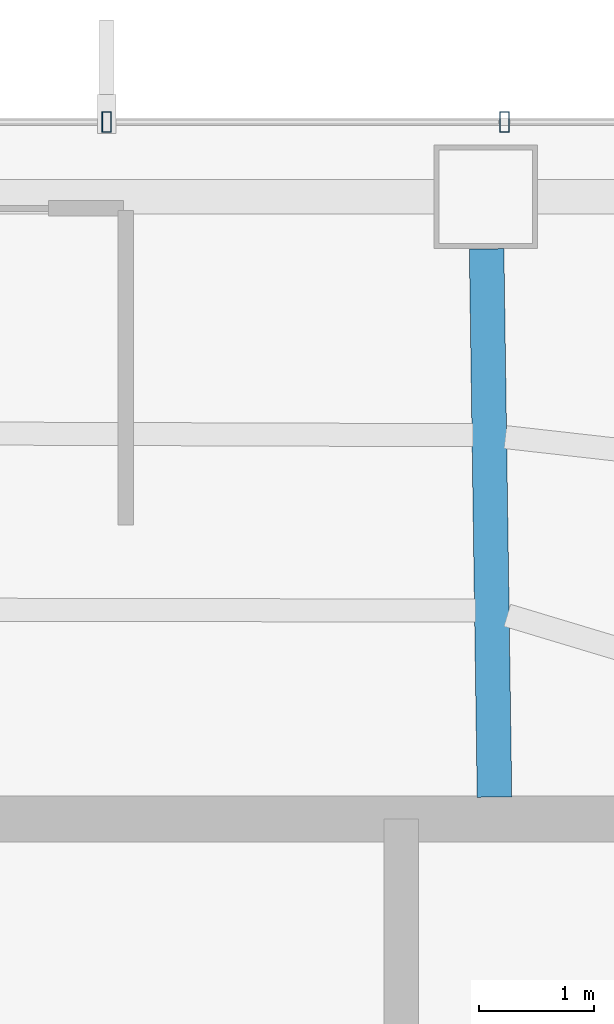
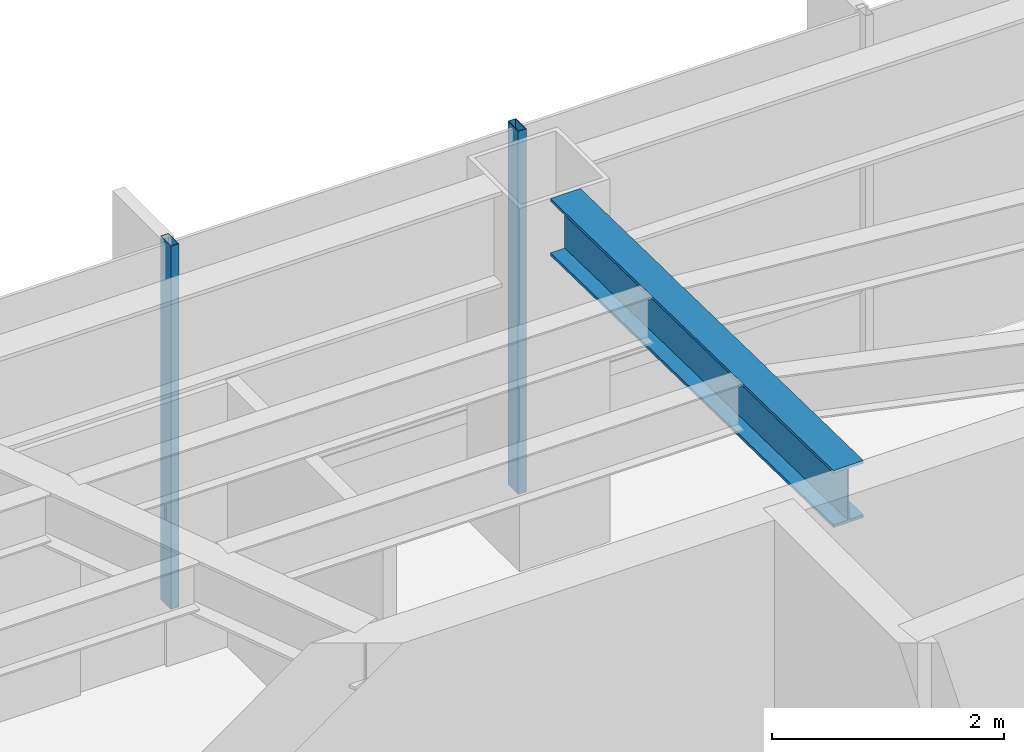
# One storey, part 13 of 24: 2 members, 1 beam, 1 element without a shape of its own.
"""IFC4 building model written with IfcOpenShell, lengths in metres."""

from ifc_helpers import new_model, si_unit, direction, frame, origin, origin_2d, place, context, subcontext, project, spatial, hollow_rectangle, i_section, extrude, material, layer, layer_set, material_profile, profile_set, type_object, element, aggregate, save


model = new_model("IFC4")

# Units and contexts
model_context = context("Model", 3, precision=1e-05, world=origin(), true_north=direction((0.0, 1.0)))
body_context = subcontext(model_context, "Body", "Model", "MODEL_VIEW")
ifc_project = project(units=[si_unit("LENGTHUNIT", "METRE"), si_unit("AREAUNIT", "SQUARE_METRE"), si_unit("VOLUMEUNIT", "CUBIC_METRE"), si_unit("PLANEANGLEUNIT", "RADIAN"), si_unit("MASSUNIT", "GRAM", prefix="KILO")], contexts=[model_context])

# Site, building, storey
site_placement = place(None, origin())
site = spatial("IfcSite", under=ifc_project, at=site_placement, CompositionType="ELEMENT")
building_placement = place(site_placement, origin())
building = spatial("IfcBuilding", under=site, at=building_placement, Name="Zarrinselat Tower", CompositionType="ELEMENT")
storey_placement = place(building_placement, frame((0.0, 0.0, 100.97998046875)))
storey = spatial("IfcBuildingStorey", under=building, at=storey_placement, Name="L24", CompositionType="ELEMENT", Elevation=100.97998046875)

# Beam
ifc_material_1 = material(Name="Steel S355J2", Category="steel")
ifc_material_profile_1 = material_profile(ifc_material_1, i_section(OverallWidth=0.300048828125, OverallDepth=0.60009765625, WebThickness=0.015380859375, FlangeThickness=0.030029296875, at=origin_2d()), Name="HEB 600")
ifc_profile_set_1 = profile_set([ifc_material_profile_1], Name="Steel S355J2")
beam_type = type_object("IfcBeamType", Name="BM-HEB600", PredefinedType="BEAM", material=ifc_profile_set_1)
beam_placement = place(storey_placement, frame((45.731689453125, 48.39794921875, 3.52001953125), z_axis=(0.014365596319, -0.999896809497, 0.0), x_axis=(0.999896809497, 0.014365596319, 0.0)))
element("IfcBeam", 1, at=beam_placement, inside=storey, type_object=beam_type, Name="L24 Radial Primary Girder RG02", PredefinedType="BEAM", context=body_context, shape_type="SweptSolid", body=[
    extrude(i_section(OverallWidth=0.300048828125, OverallDepth=0.60009765625, WebThickness=0.015380859375, FlangeThickness=0.030029296875, at=origin_2d()), origin(), (0.0, 0.0, 1.0), 4.758544921875),
])

# Curtain wall, members
ifc_material_2 = material(Name="Extruded Aluminium Alloy EN AW-6063 T6", Category="aluminium")
ifc_layer = layer(ifc_material_2, 0.18505859375)
ifc_layer_set = layer_set([ifc_layer], Name="Extruded Aluminium Alloy EN AW-6063 T6")
curtain_wall_type = type_object("IfcCurtainWallType", Name="CWS-OFF", PredefinedType="NOTDEFINED", material=ifc_layer_set)
curtain_wall_placement = place(storey_placement, origin())
curtain_wall = element("IfcCurtainWall", 2, at=curtain_wall_placement, inside=storey, type_object=curtain_wall_type, Name="L24 Unitised Curtain Wall CW-L24-E01", PredefinedType="NOTDEFINED")
ifc_material_3 = material(Name="Extruded Aluminium Alloy EN AW-6063 T6", Category="aluminium")
ifc_material_profile_2 = material_profile(ifc_material_3, hollow_rectangle(XDim=0.080078125, YDim=0.179931640625, WallThickness=0.0048828125, at=origin_2d()), Name="RHS 180x80x5")
ifc_profile_set_2 = profile_set([ifc_material_profile_2], Name="Extruded Aluminium Alloy EN AW-6063 T6")
member_type = type_object("IfcMemberType", Name="MEM-CW-MUL", PredefinedType="MULLION", material=ifc_profile_set_2)
member_1_placement = place(storey_placement, frame((45.88671875, 49.5, 0.0), z_axis=(0.0, 0.0, 1.0), x_axis=(-1.0, 0.0, 0.0)))
member_1 = element("IfcMember", 3, at=member_1_placement, type_object=member_type, Name="CW-L24-E01 Mullion 2", PredefinedType="MULLION", context=body_context, shape_type="SweptSolid", body=[
    extrude(hollow_rectangle(XDim=0.080078125, YDim=0.179931640625, WallThickness=0.0048828125, at=origin_2d()), origin(), (0.0, 0.0, 1.0), 3.820068359375),
])
member_2_placement = place(storey_placement, frame((42.432861328125, 49.5, 0.0), z_axis=(0.0, 0.0, 1.0), x_axis=(-1.0, 0.0, 0.0)))
member_2 = element("IfcMember", 4, at=member_2_placement, type_object=member_type, Name="CW-L24-E01 Mullion 3", PredefinedType="MULLION", context=body_context, shape_type="SweptSolid", body=[
    extrude(hollow_rectangle(XDim=0.080078125, YDim=0.179931640625, WallThickness=0.0048828125, at=origin_2d()), origin(), (0.0, 0.0, 1.0), 3.820068359375),
])
aggregate(curtain_wall, [member_1, member_2])

save(model, "model.ifc")
